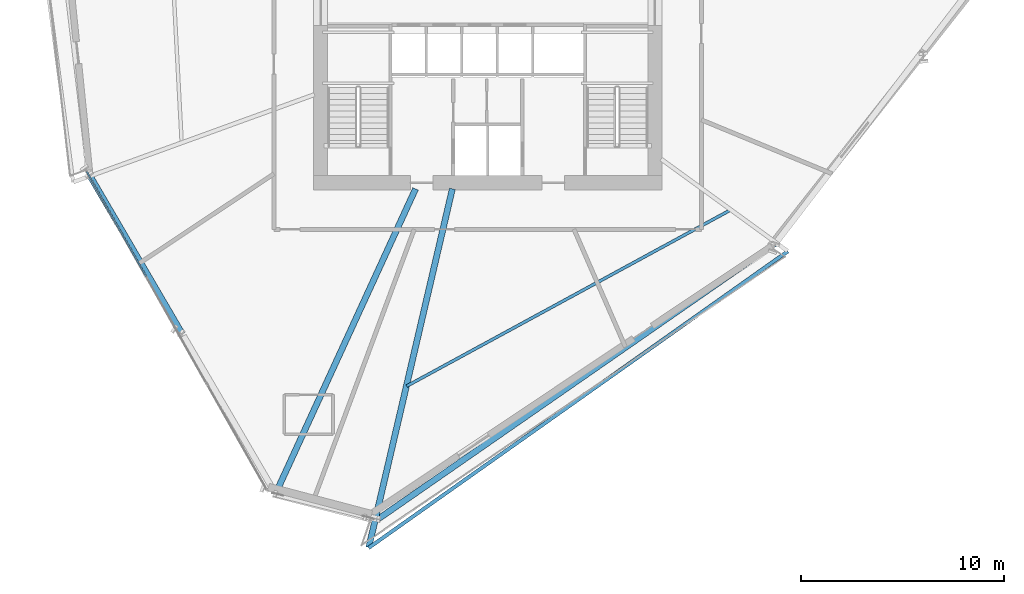
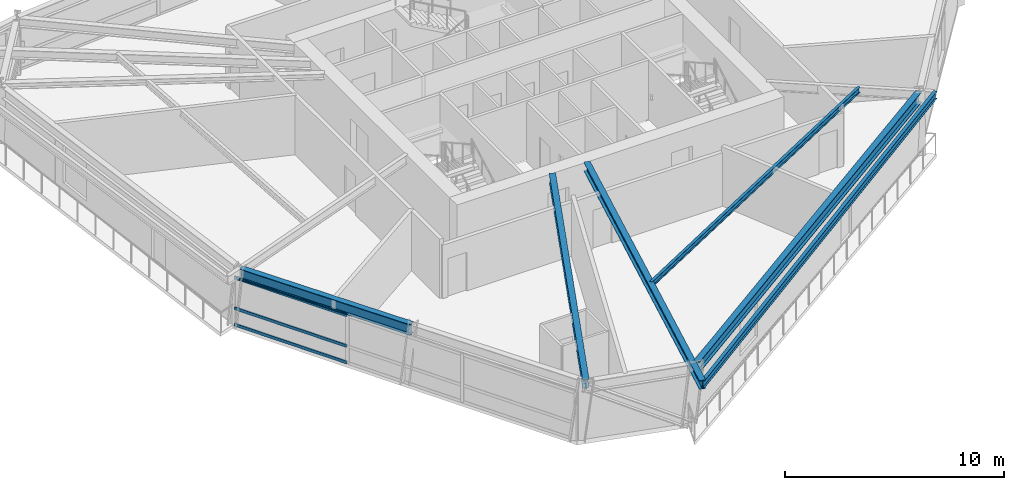
# One storey, part 3 of 18: 6 beams, 3 members, 1 element without a shape of its own.
"""IFC4 building model written with IfcOpenShell, lengths in metres."""

from ifc_helpers import new_model, si_unit, direction, frame, origin, origin_2d, place, context, subcontext, project, spatial, hollow_rectangle, i_section, extrude, source, transform, mapped, material, material_profile, profile_set, type_object, element, aggregate, save


model = new_model("IFC4")

# Units and contexts
model_context = context("Model", 3, precision=1e-05, world=origin(), true_north=direction((0.0, 1.0)))
body_context = subcontext(model_context, "Body", "Model", "MODEL_VIEW")
ifc_project = project(units=[si_unit("LENGTHUNIT", "METRE"), si_unit("AREAUNIT", "SQUARE_METRE"), si_unit("VOLUMEUNIT", "CUBIC_METRE"), si_unit("PLANEANGLEUNIT", "RADIAN"), si_unit("MASSUNIT", "GRAM", prefix="KILO")], contexts=[model_context])

# Site, building, storey
site_placement = place(None, origin())
site = spatial("IfcSite", under=ifc_project, at=site_placement, CompositionType="ELEMENT")
building_placement = place(site_placement, origin())
building = spatial("IfcBuilding", under=site, at=building_placement, Name="Olszyna Solenne Hotel", CompositionType="ELEMENT")
storey_placement = place(building_placement, frame((0.0, 0.0, 112.800048828125)))
storey = spatial("IfcBuildingStorey", under=building, at=storey_placement, Name="L29", CompositionType="ELEMENT", Elevation=112.800048828125)

# Beams
ifc_material_1 = material(Name="Steel S355J2", Category="steel")
ifc_material_profile_1 = material_profile(ifc_material_1, i_section(OverallWidth=0.300048828125, OverallDepth=0.60009765625, WebThickness=0.015380859375, FlangeThickness=0.030029296875, at=origin_2d()), Name="HEB 600", Category="load-bearing")
ifc_profile_set_1 = profile_set([ifc_material_profile_1], Name="Steel S355J2")
beam_type_1 = type_object("IfcBeamType", Name="BM-S2", PredefinedType="BEAM", material=ifc_profile_set_1)
shared_shape_1 = source(origin(), body_context, "Body", "SweptSolid", [
    extrude(i_section(OverallWidth=0.300048828125, OverallDepth=0.60009765625, WebThickness=0.015380859375, FlangeThickness=0.030029296875, at=origin_2d()), origin(), (0.0, 0.0, 1.0), 8.960693359375),
])
beam_1_placement = place(storey_placement, frame((18.40380859375, 19.433349609375, 3.0), z_axis=(0.504157291075, -0.863611849071, 0.0), x_axis=(0.863611849071, 0.504157291075, 0.0)))
element("IfcBeam", 1, at=beam_1_placement, inside=storey, type_object=beam_type_1, Name="Perimeter spandrel beam BM-S2 B-L29-0874", PredefinedType="BEAM", context=body_context, shape_type="MappedRepresentation", body=[
    mapped(shared_shape_1, transform((0.0, 0.0, 0.0), x_axis=(1.0, 0.0, 0.0), y_axis=(0.0, 1.0, 0.0), z_axis=(0.0, 0.0, 1.0), scale=1.0)),
])
shared_shape_2 = source(origin(), body_context, "Body", "SweptSolid", [
    extrude(i_section(OverallWidth=0.300048828125, OverallDepth=0.60009765625, WebThickness=0.015380859375, FlangeThickness=0.030029296875, at=origin_2d()), origin(), (0.0, 0.0, 1.0), 23.767333984375),
])
beam_2_placement = place(storey_placement, frame((32.6376953125, 2.583251953125, 3.0), z_axis=(0.821518591283, 0.57018172908, 0.0), x_axis=(-0.57018172908, 0.821518591283, 0.0)))
element("IfcBeam", 2, at=beam_2_placement, inside=storey, type_object=beam_type_1, Name="Perimeter spandrel beam BM-S2 B-L29-0877", PredefinedType="BEAM", context=body_context, shape_type="MappedRepresentation", body=[
    mapped(shared_shape_2, transform((0.0, 0.0, 0.0), x_axis=(1.0, 0.0, 0.0), y_axis=(0.0, 1.0, 0.0), z_axis=(0.0, 0.0, 1.0), scale=1.0)),
])
ifc_material_profile_2 = material_profile(ifc_material_1, i_section(OverallWidth=0.300048828125, OverallDepth=0.489990234375, WebThickness=0.011962890625, FlangeThickness=0.02294921875, at=origin_2d()), Name="HEA 500", Category="load-bearing")
ifc_profile_set_2 = profile_set([ifc_material_profile_2], Name="Steel S355J2")
beam_type_2 = type_object("IfcBeamType", Name="BM-G1", PredefinedType="BEAM", material=ifc_profile_set_2)
shared_shape_3 = source(origin(), body_context, "Body", "SweptSolid", [
    extrude(i_section(OverallWidth=0.300048828125, OverallDepth=0.489990234375, WebThickness=0.011962890625, FlangeThickness=0.02294921875, at=origin_2d()), origin(), (0.0, 0.0, 1.0), 16.495361328125),
])
beam_3_placement = place(storey_placement, frame((27.554443359375, 3.85546875, 3.054931640625), z_axis=(0.417349222192, 0.908746183891, 0.0), x_axis=(-0.908746183891, 0.417349222192, 0.0)))
element("IfcBeam", 3, at=beam_3_placement, inside=storey, type_object=beam_type_2, Name="Radial floor girder BM-G1 B-L29-0886", PredefinedType="BEAM", context=body_context, shape_type="MappedRepresentation", body=[
    mapped(shared_shape_3, transform((0.0, 0.0, 0.0), x_axis=(1.0, 0.0, 0.0), y_axis=(0.0, 1.0, 0.0), z_axis=(0.0, 0.0, 1.0), scale=1.0)),
])
shared_shape_4 = source(origin(), body_context, "Body", "SweptSolid", [
    extrude(i_section(OverallWidth=0.300048828125, OverallDepth=0.489990234375, WebThickness=0.011962890625, FlangeThickness=0.02294921875, at=origin_2d()), origin(), (0.0, 0.0, 1.0), 18.174560546875),
])
beam_4_placement = place(storey_placement, frame((32.130615234375, 1.148681640625, 3.054931640625), z_axis=(0.226991805496, 0.973896668152, 0.0), x_axis=(-0.973896668152, 0.226991805496, 0.0)))
element("IfcBeam", 4, at=beam_4_placement, inside=storey, type_object=beam_type_2, Name="Radial floor girder BM-G1 B-L29-0887", PredefinedType="BEAM", context=body_context, shape_type="MappedRepresentation", body=[
    mapped(shared_shape_4, transform((0.0, 0.0, 0.0), x_axis=(1.0, 0.0, 0.0), y_axis=(0.0, 1.0, 0.0), z_axis=(0.0, 0.0, 1.0), scale=1.0)),
])
ifc_material_profile_3 = material_profile(ifc_material_1, i_section(OverallWidth=0.14990234375, OverallDepth=0.300048828125, WebThickness=0.007080078125, FlangeThickness=0.0107421875, at=origin_2d()), Name="IPE 300", Category="load-bearing")
ifc_profile_set_3 = profile_set([ifc_material_profile_3], Name="Steel S355J2")
beam_type_3 = type_object("IfcBeamType", Name="JS-02", PredefinedType="JOIST", material=ifc_profile_set_3)
shared_shape_5 = source(origin(), body_context, "Body", "SweptSolid", [
    extrude(i_section(OverallWidth=0.14990234375, OverallDepth=0.300048828125, WebThickness=0.007080078125, FlangeThickness=0.0107421875, at=origin_2d()), origin(), (0.0, 0.0, 1.0), 18.192626953125),
])
beam_5_placement = place(storey_placement, frame((34.002197265625, 9.112548828125, 3.14990234375), z_axis=(0.87845603501, 0.477823183357, 0.0), x_axis=(-0.477823183357, 0.87845603501, 0.0)))
element("IfcBeam", 5, at=beam_5_placement, inside=storey, type_object=beam_type_3, Name="Secondary composite floor joist JS-02 B-L29-0894", PredefinedType="JOIST", context=body_context, shape_type="MappedRepresentation", body=[
    mapped(shared_shape_5, transform((0.0, 0.0, 0.0), x_axis=(1.0, 0.0, 0.0), y_axis=(0.0, 1.0, 0.0), z_axis=(0.0, 0.0, 1.0), scale=1.0)),
])
ifc_material_profile_4 = material_profile(ifc_material_1, i_section(OverallWidth=0.179931640625, OverallDepth=0.39990234375, WebThickness=0.008544921875, FlangeThickness=0.013427734375, at=origin_2d()), Name="IPE 400", Category="load-bearing")
ifc_profile_set_4 = profile_set([ifc_material_profile_4], Name="Steel S355J2")
beam_type_4 = type_object("IfcBeamType", Name="BM-F5", PredefinedType="BEAM", material=ifc_profile_set_4)
shared_shape_6 = source(origin(), body_context, "Body", "SweptSolid", [
    extrude(i_section(OverallWidth=0.179931640625, OverallDepth=0.39990234375, WebThickness=0.008544921875, FlangeThickness=0.013427734375, at=origin_2d()), origin(), (0.0, 0.0, 1.0), 25.34521484375),
])
beam_6_placement = place(storey_placement, frame((32.1259765625, 1.129150390625, 3.099853515625), z_axis=(0.816361694225, 0.577540980539, 0.0), x_axis=(-0.577540980539, 0.816361694225, 0.0)))
element("IfcBeam", 6, at=beam_6_placement, inside=storey, type_object=beam_type_4, Name="Loggia outer edge beam BM-F5 B-L29-0897", PredefinedType="BEAM", context=body_context, shape_type="MappedRepresentation", body=[
    mapped(shared_shape_6, transform((0.0, 0.0, 0.0), x_axis=(1.0, 0.0, 0.0), y_axis=(0.0, 1.0, 0.0), z_axis=(0.0, 0.0, 1.0), scale=1.0)),
])

# Curtain wall, members
ifc_material_2 = material(Name="Anodised bronze aluminium", Category="aluminium")
curtain_wall_type = type_object("IfcCurtainWallType", Name="CW-SYS-3", PredefinedType="NOTDEFINED", material=ifc_material_2)
curtain_wall_placement = place(storey_placement, origin())
curtain_wall = element("IfcCurtainWall", 7, at=curtain_wall_placement, inside=storey, type_object=curtain_wall_type, Name="Unitised curtain wall CW-SYS-3 CW-L29-01", PredefinedType="NOTDEFINED")
ifc_material_profile_5 = material_profile(ifc_material_2, hollow_rectangle(XDim=0.074951171875, YDim=0.159912109375, WallThickness=0.00390625, at=origin_2d()), Name="TRAN 160x75x4", Category="load-bearing")
ifc_profile_set_5 = profile_set([ifc_material_profile_5], Name="Anodised bronze aluminium")
member_type = type_object("IfcMemberType", Name="CW-T1", PredefinedType="USERDEFINED", material=ifc_profile_set_5)
shared_shape_7 = source(origin(), body_context, "Body", "SweptSolid", [
    extrude(hollow_rectangle(XDim=0.074951171875, YDim=0.159912109375, WallThickness=0.00390625, at=origin_2d()), origin(), (0.0, 0.0, 1.0), 5.947998046875),
])
member_1_placement = place(storey_placement, frame((18.211669921875, 19.69921875, 0.037353515625), z_axis=(0.492802320252, -0.870141294937, 0.0), x_axis=(0.870141294937, 0.492802320252, 0.0)))
member_1 = element("IfcMember", 8, at=member_1_placement, type_object=member_type, Name="Curtain-wall transom CW-T1 CT-L29-01-01", ObjectType="TRANSOM", PredefinedType="USERDEFINED", context=body_context, shape_type="MappedRepresentation", body=[
    mapped(shared_shape_7, transform((0.0, 0.0, 0.0), x_axis=(1.0, 0.0, 0.0), y_axis=(0.0, 1.0, 0.0), z_axis=(0.0, 0.0, 1.0), scale=1.0)),
])
member_2_placement = place(storey_placement, frame((18.211669921875, 19.69921875, 0.949951171875), z_axis=(0.492802320252, -0.870141294937, 0.0), x_axis=(0.870141294937, 0.492802320252, 0.0)))
member_2 = element("IfcMember", 9, at=member_2_placement, type_object=member_type, Name="Curtain-wall transom CW-T1 CT-L29-01-02", ObjectType="TRANSOM", PredefinedType="USERDEFINED", context=body_context, shape_type="MappedRepresentation", body=[
    mapped(shared_shape_7, transform((0.0, 0.0, 0.0), x_axis=(1.0, 0.0, 0.0), y_axis=(0.0, 1.0, 0.0), z_axis=(0.0, 0.0, 1.0), scale=1.0)),
])
member_3_placement = place(storey_placement, frame((18.211669921875, 19.69921875, 2.654541015625), z_axis=(0.492802320252, -0.870141294937, 0.0), x_axis=(0.870141294937, 0.492802320252, 0.0)))
member_3 = element("IfcMember", 10, at=member_3_placement, type_object=member_type, Name="Curtain-wall transom CW-T1 CT-L29-01-03", ObjectType="TRANSOM", PredefinedType="USERDEFINED", context=body_context, shape_type="MappedRepresentation", body=[
    mapped(shared_shape_7, transform((0.0, 0.0, 0.0), x_axis=(1.0, 0.0, 0.0), y_axis=(0.0, 1.0, 0.0), z_axis=(0.0, 0.0, 1.0), scale=1.0)),
])
aggregate(curtain_wall, [member_1, member_2, member_3])

save(model, "model.ifc")
